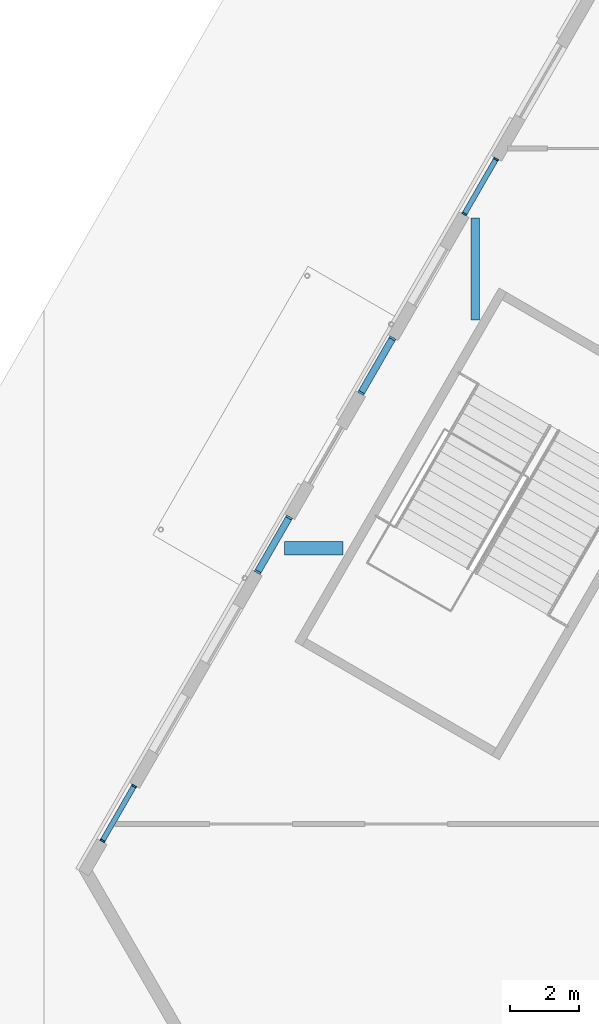
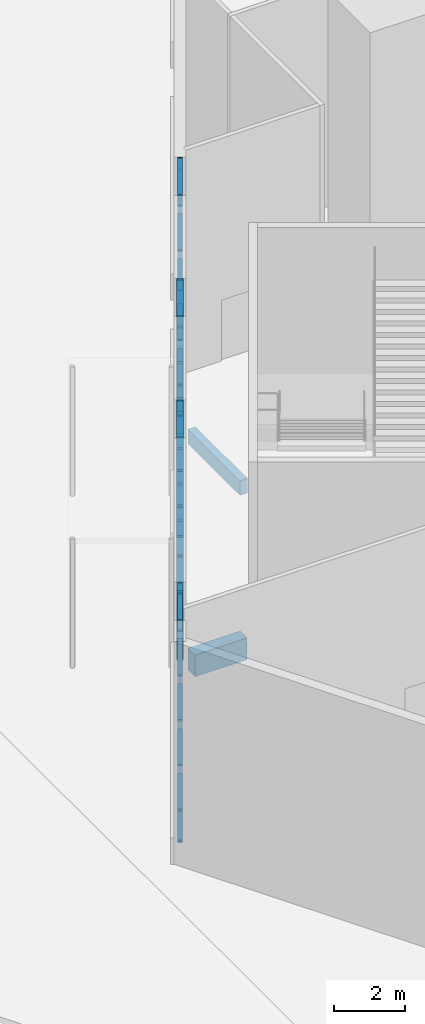
# One storey, part 5 of 24: 38 members, 2 beams, 4 elements without a shape of their own.
"""IFC4 building model written with IfcOpenShell, lengths in metres."""

from ifc_helpers import new_model, si_unit, direction, frame, origin, origin_2d, place, context, subcontext, project, spatial, rectangle, extrude, material, material_profile, profile_set, type_object, element, aggregate, save


model = new_model("IFC4")

# Units and contexts
model_context = context("Model", 3, precision=1e-05, world=origin(), true_north=direction((0.0, 1.0)))
body_context = subcontext(model_context, "Body", "Model", "MODEL_VIEW")
ifc_project = project(units=[si_unit("LENGTHUNIT", "METRE"), si_unit("AREAUNIT", "SQUARE_METRE"), si_unit("VOLUMEUNIT", "CUBIC_METRE"), si_unit("PLANEANGLEUNIT", "RADIAN"), si_unit("MASSUNIT", "GRAM", prefix="KILO")], contexts=[model_context])

# Site, building, storey
site_placement = place(None, origin())
site = spatial("IfcSite", under=ifc_project, at=site_placement, CompositionType="ELEMENT")
building_placement = place(site_placement, origin())
building = spatial("IfcBuilding", under=site, at=building_placement, Name="Fogline Exchange Tower", CompositionType="ELEMENT")
storey_placement = place(building_placement, origin())
storey = spatial("IfcBuildingStorey", under=building, at=storey_placement, Name="L00", CompositionType="ELEMENT", Elevation=0.0)

# Beams
ifc_material_1 = material(Name="Concrete C40", Category="concrete")
ifc_material_profile_1 = material_profile(ifc_material_1, rectangle(XDim=0.39990234375, YDim=0.75, at=origin_2d()), Name="RC 400x750")
ifc_profile_set_1 = profile_set([ifc_material_profile_1], Name="Concrete C40")
beam_type_1 = type_object("IfcBeamType", Name="B05", PredefinedType="BEAM", material=ifc_profile_set_1)
beam_1_placement = place(storey_placement, frame((-37.0302734375, 18.0, -0.77490234375), z_axis=(1.0, 0.0, 0.0), x_axis=(0.0, 1.0, 0.0)))
element("IfcBeam", 1, at=beam_1_placement, inside=storey, type_object=beam_type_1, Name="GB003", PredefinedType="BEAM", context=body_context, shape_type="SweptSolid", body=[
    extrude(rectangle(XDim=0.39990234375, YDim=0.75, at=origin_2d()), origin(), (0.0, 0.0, 1.0), 1.702880859375),
])
ifc_material_profile_2 = material_profile(ifc_material_1, rectangle(XDim=0.25, YDim=0.5, at=origin_2d()), Name="RC 250x500")
ifc_profile_set_2 = profile_set([ifc_material_profile_2], Name="Concrete C40")
beam_type_2 = type_object("IfcBeamType", Name="B08", PredefinedType="BEAM", material=ifc_profile_set_2)
beam_2_placement = place(storey_placement, frame((-31.5, 24.619384765625, -0.64990234375), z_axis=(0.0, 1.0, 0.0), x_axis=(-1.0, 0.0, 0.0)))
element("IfcBeam", 2, at=beam_2_placement, inside=storey, type_object=beam_type_2, Name="SB006", PredefinedType="BEAM", context=body_context, shape_type="SweptSolid", body=[
    extrude(rectangle(XDim=0.25, YDim=0.5, at=origin_2d()), origin(), (0.0, 0.0, 1.0), 2.95947265625),
])

# Curtain wall, members
ifc_material_2 = material(Name="Aluminium and glass", Category="aluminium")
curtain_wall_type_1 = type_object("IfcCurtainWallType", Name="CW1", PredefinedType="NOTDEFINED", material=ifc_material_2)
curtain_wall_1_placement = place(storey_placement, origin())
curtain_wall_1 = element("IfcCurtainWall", 3, at=curtain_wall_1_placement, inside=storey, type_object=curtain_wall_type_1, Name="CW1 L00 W run 2", PredefinedType="NOTDEFINED")
ifc_material_3 = material(Name="Aluminium", Category="aluminium")
ifc_material_profile_3 = material_profile(ifc_material_3, rectangle(XDim=0.199951171875, YDim=0.06005859375, at=origin_2d()), Name="Mullion 60x200")
ifc_profile_set_3 = profile_set([ifc_material_profile_3], Name="Aluminium")
member_type_1 = type_object("IfcMemberType", Name="CW1-M", PredefinedType="MULLION", material=ifc_profile_set_3)
member_1_placement = place(storey_placement, frame((-33.896484375, 24.087890625, 0.0), z_axis=(0.0, 0.0, 1.0), x_axis=(0.866024357877, -0.500001811561, 0.0)))
member_1 = element("IfcMember", 4, at=member_1_placement, type_object=member_type_1, Name="CW1-P00-03 mullion 1", PredefinedType="MULLION", context=body_context, shape_type="SweptSolid", body=[
    extrude(rectangle(XDim=0.199951171875, YDim=0.06005859375, at=origin_2d()), origin(), (0.0, 0.0, 1.0), 7.699951171875),
])
member_2_placement = place(storey_placement, frame((-34.80908203125, 22.50732421875, 0.0), z_axis=(0.0, 0.0, 1.0), x_axis=(0.866024357877, -0.500001811561, 0.0)))
member_2 = element("IfcMember", 5, at=member_2_placement, type_object=member_type_1, Name="CW1-P00-03 mullion 2", PredefinedType="MULLION", context=body_context, shape_type="SweptSolid", body=[
    extrude(rectangle(XDim=0.199951171875, YDim=0.06005859375, at=origin_2d()), origin(), (0.0, 0.0, 1.0), 7.699951171875),
])

curtain_wall_2_placement = place(storey_placement, origin())
curtain_wall_2 = element("IfcCurtainWall", 6, at=curtain_wall_2_placement, inside=storey, type_object=curtain_wall_type_1, Name="CW1 L00 W run 3", PredefinedType="NOTDEFINED")
member_3_placement = place(storey_placement, frame((-36.896484375, 18.891845703125, 0.0), z_axis=(0.0, 0.0, 1.0), x_axis=(0.866025684137, -0.499999514416, 0.0)))
member_3 = element("IfcMember", 7, at=member_3_placement, type_object=member_type_1, Name="CW1-P00-04 mullion 1", PredefinedType="MULLION", context=body_context, shape_type="SweptSolid", body=[
    extrude(rectangle(XDim=0.199951171875, YDim=0.06005859375, at=origin_2d()), origin(), (0.0, 0.0, 1.0), 7.699951171875),
])
member_4_placement = place(storey_placement, frame((-37.80908203125, 17.311279296875, 0.0), z_axis=(0.0, 0.0, 1.0), x_axis=(0.866025684137, -0.499999514416, 0.0)))
member_4 = element("IfcMember", 8, at=member_4_placement, type_object=member_type_1, Name="CW1-P00-04 mullion 2", PredefinedType="MULLION", context=body_context, shape_type="SweptSolid", body=[
    extrude(rectangle(XDim=0.199951171875, YDim=0.06005859375, at=origin_2d()), origin(), (0.0, 0.0, 1.0), 7.699951171875),
])

# Member
ifc_material_profile_4 = material_profile(ifc_material_3, rectangle(XDim=0.199951171875, YDim=0.080078125, at=origin_2d()), Name="Transom 80x200")
ifc_profile_set_4 = profile_set([ifc_material_profile_4], Name="Aluminium")
member_type_2 = type_object("IfcMemberType", Name="CW1-T", PredefinedType="USERDEFINED", material=ifc_profile_set_4)
member_5_placement = place(storey_placement, frame((-33.91162109375, 24.06201171875, 0.0400390625), z_axis=(-0.499918034643, -0.866072721334, 0.0), x_axis=(0.866072721334, -0.499918034643, 0.0)))
member_5 = element("IfcMember", 9, at=member_5_placement, type_object=member_type_2, Name="CW1-P00-03 transom 1.1", ObjectType="TRANSOM", PredefinedType="USERDEFINED", context=body_context, shape_type="SweptSolid", body=[
    extrude(rectangle(XDim=0.199951171875, YDim=0.080078125, at=origin_2d()), origin(), (0.0, 0.0, 1.0), 1.764892578125),
])

member_6_placement = place(storey_placement, frame((-33.91162109375, 24.06201171875, 1.10009765625), z_axis=(-0.499918034643, -0.866072721334, 0.0), x_axis=(0.866072721334, -0.499918034643, 0.0)))
member_6 = element("IfcMember", 10, at=member_6_placement, type_object=member_type_2, Name="CW1-P00-03 transom 1.2", ObjectType="TRANSOM", PredefinedType="USERDEFINED", context=body_context, shape_type="SweptSolid", body=[
    extrude(rectangle(XDim=0.199951171875, YDim=0.080078125, at=origin_2d()), origin(), (0.0, 0.0, 1.0), 1.764892578125),
])

member_7_placement = place(storey_placement, frame((-33.91162109375, 24.06201171875, 2.340087890625), z_axis=(-0.499918034643, -0.866072721334, 0.0), x_axis=(0.866072721334, -0.499918034643, 0.0)))
member_7 = element("IfcMember", 11, at=member_7_placement, type_object=member_type_2, Name="CW1-P00-03 transom 1.3", ObjectType="TRANSOM", PredefinedType="USERDEFINED", context=body_context, shape_type="SweptSolid", body=[
    extrude(rectangle(XDim=0.199951171875, YDim=0.080078125, at=origin_2d()), origin(), (0.0, 0.0, 1.0), 1.764892578125),
])

member_8_placement = place(storey_placement, frame((-33.91162109375, 24.06201171875, 3.580078125), z_axis=(-0.499918034643, -0.866072721334, 0.0), x_axis=(0.866072721334, -0.499918034643, 0.0)))
member_8 = element("IfcMember", 12, at=member_8_placement, type_object=member_type_2, Name="CW1-P00-03 transom 1.4", ObjectType="TRANSOM", PredefinedType="USERDEFINED", context=body_context, shape_type="SweptSolid", body=[
    extrude(rectangle(XDim=0.199951171875, YDim=0.080078125, at=origin_2d()), origin(), (0.0, 0.0, 1.0), 1.764892578125),
])

member_9_placement = place(storey_placement, frame((-33.91162109375, 24.06201171875, 4.820068359375), z_axis=(-0.499918034643, -0.866072721334, 0.0), x_axis=(0.866072721334, -0.499918034643, 0.0)))
member_9 = element("IfcMember", 13, at=member_9_placement, type_object=member_type_2, Name="CW1-P00-03 transom 1.5", ObjectType="TRANSOM", PredefinedType="USERDEFINED", context=body_context, shape_type="SweptSolid", body=[
    extrude(rectangle(XDim=0.199951171875, YDim=0.080078125, at=origin_2d()), origin(), (0.0, 0.0, 1.0), 1.764892578125),
])

member_10_placement = place(storey_placement, frame((-33.91162109375, 24.06201171875, 6.06005859375), z_axis=(-0.499918034643, -0.866072721334, 0.0), x_axis=(0.866072721334, -0.499918034643, 0.0)))
member_10 = element("IfcMember", 14, at=member_10_placement, type_object=member_type_2, Name="CW1-P00-03 transom 1.6", ObjectType="TRANSOM", PredefinedType="USERDEFINED", context=body_context, shape_type="SweptSolid", body=[
    extrude(rectangle(XDim=0.199951171875, YDim=0.080078125, at=origin_2d()), origin(), (0.0, 0.0, 1.0), 1.764892578125),
])

member_11_placement = place(storey_placement, frame((-33.91162109375, 24.06201171875, 7.300048828125), z_axis=(-0.499918034643, -0.866072721334, 0.0), x_axis=(0.866072721334, -0.499918034643, 0.0)))
member_11 = element("IfcMember", 15, at=member_11_placement, type_object=member_type_2, Name="CW1-P00-03 transom 1.7", ObjectType="TRANSOM", PredefinedType="USERDEFINED", context=body_context, shape_type="SweptSolid", body=[
    extrude(rectangle(XDim=0.199951171875, YDim=0.080078125, at=origin_2d()), origin(), (0.0, 0.0, 1.0), 1.764892578125),
])

member_12_placement = place(storey_placement, frame((-33.91162109375, 24.06201171875, 7.659912109375), z_axis=(-0.499918034643, -0.866072721334, 0.0), x_axis=(0.866072721334, -0.499918034643, 0.0)))
member_12 = element("IfcMember", 16, at=member_12_placement, type_object=member_type_2, Name="CW1-P00-03 transom 1.8", ObjectType="TRANSOM", PredefinedType="USERDEFINED", context=body_context, shape_type="SweptSolid", body=[
    extrude(rectangle(XDim=0.199951171875, YDim=0.080078125, at=origin_2d()), origin(), (0.0, 0.0, 1.0), 1.764892578125),
])

aggregate(curtain_wall_1, [member_1, member_2, member_5, member_6, member_7, member_8, member_9, member_10, member_11, member_12])

member_13_placement = place(storey_placement, frame((-36.91162109375, 18.86572265625, 0.0400390625), z_axis=(-0.499918034643, -0.866072721334, 0.0), x_axis=(0.866072721334, -0.499918034643, 0.0)))
member_13 = element("IfcMember", 17, at=member_13_placement, type_object=member_type_2, Name="CW1-P00-04 transom 1.1", ObjectType="TRANSOM", PredefinedType="USERDEFINED", context=body_context, shape_type="SweptSolid", body=[
    extrude(rectangle(XDim=0.199951171875, YDim=0.080078125, at=origin_2d()), origin(), (0.0, 0.0, 1.0), 1.764892578125),
])

member_14_placement = place(storey_placement, frame((-36.91162109375, 18.86572265625, 1.10009765625), z_axis=(-0.499918034643, -0.866072721334, 0.0), x_axis=(0.866072721334, -0.499918034643, 0.0)))
member_14 = element("IfcMember", 18, at=member_14_placement, type_object=member_type_2, Name="CW1-P00-04 transom 1.2", ObjectType="TRANSOM", PredefinedType="USERDEFINED", context=body_context, shape_type="SweptSolid", body=[
    extrude(rectangle(XDim=0.199951171875, YDim=0.080078125, at=origin_2d()), origin(), (0.0, 0.0, 1.0), 1.764892578125),
])

member_15_placement = place(storey_placement, frame((-36.91162109375, 18.86572265625, 2.340087890625), z_axis=(-0.499918034643, -0.866072721334, 0.0), x_axis=(0.866072721334, -0.499918034643, 0.0)))
member_15 = element("IfcMember", 19, at=member_15_placement, type_object=member_type_2, Name="CW1-P00-04 transom 1.3", ObjectType="TRANSOM", PredefinedType="USERDEFINED", context=body_context, shape_type="SweptSolid", body=[
    extrude(rectangle(XDim=0.199951171875, YDim=0.080078125, at=origin_2d()), origin(), (0.0, 0.0, 1.0), 1.764892578125),
])

member_16_placement = place(storey_placement, frame((-36.91162109375, 18.86572265625, 3.580078125), z_axis=(-0.499918034643, -0.866072721334, 0.0), x_axis=(0.866072721334, -0.499918034643, 0.0)))
member_16 = element("IfcMember", 20, at=member_16_placement, type_object=member_type_2, Name="CW1-P00-04 transom 1.4", ObjectType="TRANSOM", PredefinedType="USERDEFINED", context=body_context, shape_type="SweptSolid", body=[
    extrude(rectangle(XDim=0.199951171875, YDim=0.080078125, at=origin_2d()), origin(), (0.0, 0.0, 1.0), 1.764892578125),
])

member_17_placement = place(storey_placement, frame((-36.91162109375, 18.86572265625, 4.820068359375), z_axis=(-0.499918034643, -0.866072721334, 0.0), x_axis=(0.866072721334, -0.499918034643, 0.0)))
member_17 = element("IfcMember", 21, at=member_17_placement, type_object=member_type_2, Name="CW1-P00-04 transom 1.5", ObjectType="TRANSOM", PredefinedType="USERDEFINED", context=body_context, shape_type="SweptSolid", body=[
    extrude(rectangle(XDim=0.199951171875, YDim=0.080078125, at=origin_2d()), origin(), (0.0, 0.0, 1.0), 1.764892578125),
])

member_18_placement = place(storey_placement, frame((-36.91162109375, 18.86572265625, 6.06005859375), z_axis=(-0.499918034643, -0.866072721334, 0.0), x_axis=(0.866072721334, -0.499918034643, 0.0)))
member_18 = element("IfcMember", 22, at=member_18_placement, type_object=member_type_2, Name="CW1-P00-04 transom 1.6", ObjectType="TRANSOM", PredefinedType="USERDEFINED", context=body_context, shape_type="SweptSolid", body=[
    extrude(rectangle(XDim=0.199951171875, YDim=0.080078125, at=origin_2d()), origin(), (0.0, 0.0, 1.0), 1.764892578125),
])

member_19_placement = place(storey_placement, frame((-36.91162109375, 18.86572265625, 7.300048828125), z_axis=(-0.499918034643, -0.866072721334, 0.0), x_axis=(0.866072721334, -0.499918034643, 0.0)))
member_19 = element("IfcMember", 23, at=member_19_placement, type_object=member_type_2, Name="CW1-P00-04 transom 1.7", ObjectType="TRANSOM", PredefinedType="USERDEFINED", context=body_context, shape_type="SweptSolid", body=[
    extrude(rectangle(XDim=0.199951171875, YDim=0.080078125, at=origin_2d()), origin(), (0.0, 0.0, 1.0), 1.764892578125),
])

member_20_placement = place(storey_placement, frame((-36.91162109375, 18.86572265625, 7.659912109375), z_axis=(-0.499918034643, -0.866072721334, 0.0), x_axis=(0.866072721334, -0.499918034643, 0.0)))
member_20 = element("IfcMember", 24, at=member_20_placement, type_object=member_type_2, Name="CW1-P00-04 transom 1.8", ObjectType="TRANSOM", PredefinedType="USERDEFINED", context=body_context, shape_type="SweptSolid", body=[
    extrude(rectangle(XDim=0.199951171875, YDim=0.080078125, at=origin_2d()), origin(), (0.0, 0.0, 1.0), 1.764892578125),
])

aggregate(curtain_wall_2, [member_3, member_4, member_13, member_14, member_15, member_16, member_17, member_18, member_19, member_20])

# Curtain wall, members
curtain_wall_type_2 = type_object("IfcCurtainWallType", Name="CW3", PredefinedType="NOTDEFINED", material=ifc_material_2)
curtain_wall_3_placement = place(storey_placement, origin())
curtain_wall_3 = element("IfcCurtainWall", 25, at=curtain_wall_3_placement, inside=storey, type_object=curtain_wall_type_2, Name="CW3 L00 W run 1", PredefinedType="NOTDEFINED")
ifc_material_profile_5 = material_profile(ifc_material_3, rectangle(XDim=0.14990234375, YDim=0.050048828125, at=origin_2d()), Name="Mullion 50x150")
ifc_profile_set_5 = profile_set([ifc_material_profile_5], Name="Aluminium")
member_type_3 = type_object("IfcMemberType", Name="CW3-M", PredefinedType="MULLION", material=ifc_profile_set_5)
member_21_placement = place(storey_placement, frame((-30.89404296875, 29.288330078125, 0.0), z_axis=(0.0, 0.0, 1.0), x_axis=(0.866025684137, -0.499999514416, 0.0)))
member_21 = element("IfcMember", 26, at=member_21_placement, type_object=member_type_3, Name="CW3-P00-03 mullion 1", PredefinedType="MULLION", context=body_context, shape_type="SweptSolid", body=[
    extrude(rectangle(XDim=0.14990234375, YDim=0.050048828125, at=origin_2d()), origin(), (0.0, 0.0, 1.0), 7.699951171875),
])
member_22_placement = place(storey_placement, frame((-31.8115234375, 27.69921875, 0.0), z_axis=(0.0, 0.0, 1.0), x_axis=(0.866025684137, -0.499999514416, 0.0)))
member_22 = element("IfcMember", 27, at=member_22_placement, type_object=member_type_3, Name="CW3-P00-03 mullion 2", PredefinedType="MULLION", context=body_context, shape_type="SweptSolid", body=[
    extrude(rectangle(XDim=0.14990234375, YDim=0.050048828125, at=origin_2d()), origin(), (0.0, 0.0, 1.0), 7.699951171875),
])

curtain_wall_4_placement = place(storey_placement, origin())
curtain_wall_4 = element("IfcCurtainWall", 28, at=curtain_wall_4_placement, inside=storey, type_object=curtain_wall_type_2, Name="CW3 L00 W run 4", PredefinedType="NOTDEFINED")
member_23_placement = place(storey_placement, frame((-41.39404296875, 11.101806640625, 0.0), z_axis=(0.0, 0.0, 1.0), x_axis=(0.866024357877, -0.500001811561, 0.0)))
member_23 = element("IfcMember", 29, at=member_23_placement, type_object=member_type_3, Name="CW3-P00-04 mullion 1", PredefinedType="MULLION", context=body_context, shape_type="SweptSolid", body=[
    extrude(rectangle(XDim=0.14990234375, YDim=0.050048828125, at=origin_2d()), origin(), (0.0, 0.0, 1.0), 7.699951171875),
])
member_24_placement = place(storey_placement, frame((-42.3115234375, 9.5126953125, 0.0), z_axis=(0.0, 0.0, 1.0), x_axis=(0.866024357877, -0.500001811561, 0.0)))
member_24 = element("IfcMember", 30, at=member_24_placement, type_object=member_type_3, Name="CW3-P00-04 mullion 2", PredefinedType="MULLION", context=body_context, shape_type="SweptSolid", body=[
    extrude(rectangle(XDim=0.14990234375, YDim=0.050048828125, at=origin_2d()), origin(), (0.0, 0.0, 1.0), 7.699951171875),
])

# Member
ifc_material_profile_6 = material_profile(ifc_material_3, rectangle(XDim=0.14990234375, YDim=0.06005859375, at=origin_2d()), Name="Transom 60x150")
ifc_profile_set_6 = profile_set([ifc_material_profile_6], Name="Aluminium")
member_type_4 = type_object("IfcMemberType", Name="CW3-T", PredefinedType="USERDEFINED", material=ifc_profile_set_6)
member_25_placement = place(storey_placement, frame((-30.906494140625, 29.266845703125, 0.030029296875), z_axis=(-0.500022371132, -0.86601248742, 0.0), x_axis=(0.86601248742, -0.500022371132, 0.0)))
member_25 = element("IfcMember", 31, at=member_25_placement, type_object=member_type_4, Name="CW3-P00-03 transom 1.1", ObjectType="TRANSOM", PredefinedType="USERDEFINED", context=body_context, shape_type="SweptSolid", body=[
    extrude(rectangle(XDim=0.14990234375, YDim=0.06005859375, at=origin_2d()), origin(), (0.0, 0.0, 1.0), 1.78515625),
])

member_26_placement = place(storey_placement, frame((-30.906494140625, 29.266845703125, 1.10009765625), z_axis=(-0.500022371132, -0.86601248742, 0.0), x_axis=(0.86601248742, -0.500022371132, 0.0)))
member_26 = element("IfcMember", 32, at=member_26_placement, type_object=member_type_4, Name="CW3-P00-03 transom 1.2", ObjectType="TRANSOM", PredefinedType="USERDEFINED", context=body_context, shape_type="SweptSolid", body=[
    extrude(rectangle(XDim=0.14990234375, YDim=0.06005859375, at=origin_2d()), origin(), (0.0, 0.0, 1.0), 1.78515625),
])

member_27_placement = place(storey_placement, frame((-30.906494140625, 29.266845703125, 2.64990234375), z_axis=(-0.500022371132, -0.86601248742, 0.0), x_axis=(0.86601248742, -0.500022371132, 0.0)))
member_27 = element("IfcMember", 33, at=member_27_placement, type_object=member_type_4, Name="CW3-P00-03 transom 1.3", ObjectType="TRANSOM", PredefinedType="USERDEFINED", context=body_context, shape_type="SweptSolid", body=[
    extrude(rectangle(XDim=0.14990234375, YDim=0.06005859375, at=origin_2d()), origin(), (0.0, 0.0, 1.0), 1.78515625),
])

member_28_placement = place(storey_placement, frame((-30.906494140625, 29.266845703125, 4.199951171875), z_axis=(-0.500022371132, -0.86601248742, 0.0), x_axis=(0.86601248742, -0.500022371132, 0.0)))
member_28 = element("IfcMember", 34, at=member_28_placement, type_object=member_type_4, Name="CW3-P00-03 transom 1.4", ObjectType="TRANSOM", PredefinedType="USERDEFINED", context=body_context, shape_type="SweptSolid", body=[
    extrude(rectangle(XDim=0.14990234375, YDim=0.06005859375, at=origin_2d()), origin(), (0.0, 0.0, 1.0), 1.78515625),
])

member_29_placement = place(storey_placement, frame((-30.906494140625, 29.266845703125, 5.75), z_axis=(-0.500022371132, -0.86601248742, 0.0), x_axis=(0.86601248742, -0.500022371132, 0.0)))
member_29 = element("IfcMember", 35, at=member_29_placement, type_object=member_type_4, Name="CW3-P00-03 transom 1.5", ObjectType="TRANSOM", PredefinedType="USERDEFINED", context=body_context, shape_type="SweptSolid", body=[
    extrude(rectangle(XDim=0.14990234375, YDim=0.06005859375, at=origin_2d()), origin(), (0.0, 0.0, 1.0), 1.78515625),
])

member_30_placement = place(storey_placement, frame((-30.906494140625, 29.266845703125, 7.300048828125), z_axis=(-0.500022371132, -0.86601248742, 0.0), x_axis=(0.86601248742, -0.500022371132, 0.0)))
member_30 = element("IfcMember", 36, at=member_30_placement, type_object=member_type_4, Name="CW3-P00-03 transom 1.6", ObjectType="TRANSOM", PredefinedType="USERDEFINED", context=body_context, shape_type="SweptSolid", body=[
    extrude(rectangle(XDim=0.14990234375, YDim=0.06005859375, at=origin_2d()), origin(), (0.0, 0.0, 1.0), 1.78515625),
])

member_31_placement = place(storey_placement, frame((-30.906494140625, 29.266845703125, 7.669921875), z_axis=(-0.500022371132, -0.86601248742, 0.0), x_axis=(0.86601248742, -0.500022371132, 0.0)))
member_31 = element("IfcMember", 37, at=member_31_placement, type_object=member_type_4, Name="CW3-P00-03 transom 1.7", ObjectType="TRANSOM", PredefinedType="USERDEFINED", context=body_context, shape_type="SweptSolid", body=[
    extrude(rectangle(XDim=0.14990234375, YDim=0.06005859375, at=origin_2d()), origin(), (0.0, 0.0, 1.0), 1.78515625),
])

aggregate(curtain_wall_3, [member_21, member_22, member_25, member_26, member_27, member_28, member_29, member_30, member_31])

member_32_placement = place(storey_placement, frame((-41.406494140625, 11.080322265625, 0.030029296875), z_axis=(-0.500022371132, -0.86601248742, 0.0), x_axis=(0.86601248742, -0.500022371132, 0.0)))
member_32 = element("IfcMember", 38, at=member_32_placement, type_object=member_type_4, Name="CW3-P00-04 transom 1.1", ObjectType="TRANSOM", PredefinedType="USERDEFINED", context=body_context, shape_type="SweptSolid", body=[
    extrude(rectangle(XDim=0.14990234375, YDim=0.06005859375, at=origin_2d()), origin(), (0.0, 0.0, 1.0), 1.78515625),
])

member_33_placement = place(storey_placement, frame((-41.406494140625, 11.080322265625, 1.10009765625), z_axis=(-0.500022371132, -0.86601248742, 0.0), x_axis=(0.86601248742, -0.500022371132, 0.0)))
member_33 = element("IfcMember", 39, at=member_33_placement, type_object=member_type_4, Name="CW3-P00-04 transom 1.2", ObjectType="TRANSOM", PredefinedType="USERDEFINED", context=body_context, shape_type="SweptSolid", body=[
    extrude(rectangle(XDim=0.14990234375, YDim=0.06005859375, at=origin_2d()), origin(), (0.0, 0.0, 1.0), 1.78515625),
])

member_34_placement = place(storey_placement, frame((-41.406494140625, 11.080322265625, 2.64990234375), z_axis=(-0.500022371132, -0.86601248742, 0.0), x_axis=(0.86601248742, -0.500022371132, 0.0)))
member_34 = element("IfcMember", 40, at=member_34_placement, type_object=member_type_4, Name="CW3-P00-04 transom 1.3", ObjectType="TRANSOM", PredefinedType="USERDEFINED", context=body_context, shape_type="SweptSolid", body=[
    extrude(rectangle(XDim=0.14990234375, YDim=0.06005859375, at=origin_2d()), origin(), (0.0, 0.0, 1.0), 1.78515625),
])

member_35_placement = place(storey_placement, frame((-41.406494140625, 11.080322265625, 4.199951171875), z_axis=(-0.500022371132, -0.86601248742, 0.0), x_axis=(0.86601248742, -0.500022371132, 0.0)))
member_35 = element("IfcMember", 41, at=member_35_placement, type_object=member_type_4, Name="CW3-P00-04 transom 1.4", ObjectType="TRANSOM", PredefinedType="USERDEFINED", context=body_context, shape_type="SweptSolid", body=[
    extrude(rectangle(XDim=0.14990234375, YDim=0.06005859375, at=origin_2d()), origin(), (0.0, 0.0, 1.0), 1.78515625),
])

member_36_placement = place(storey_placement, frame((-41.406494140625, 11.080322265625, 5.75), z_axis=(-0.500022371132, -0.86601248742, 0.0), x_axis=(0.86601248742, -0.500022371132, 0.0)))
member_36 = element("IfcMember", 42, at=member_36_placement, type_object=member_type_4, Name="CW3-P00-04 transom 1.5", ObjectType="TRANSOM", PredefinedType="USERDEFINED", context=body_context, shape_type="SweptSolid", body=[
    extrude(rectangle(XDim=0.14990234375, YDim=0.06005859375, at=origin_2d()), origin(), (0.0, 0.0, 1.0), 1.78515625),
])

member_37_placement = place(storey_placement, frame((-41.406494140625, 11.080322265625, 7.300048828125), z_axis=(-0.500022371132, -0.86601248742, 0.0), x_axis=(0.86601248742, -0.500022371132, 0.0)))
member_37 = element("IfcMember", 43, at=member_37_placement, type_object=member_type_4, Name="CW3-P00-04 transom 1.6", ObjectType="TRANSOM", PredefinedType="USERDEFINED", context=body_context, shape_type="SweptSolid", body=[
    extrude(rectangle(XDim=0.14990234375, YDim=0.06005859375, at=origin_2d()), origin(), (0.0, 0.0, 1.0), 1.78515625),
])

member_38_placement = place(storey_placement, frame((-41.406494140625, 11.080322265625, 7.669921875), z_axis=(-0.500022371132, -0.86601248742, 0.0), x_axis=(0.86601248742, -0.500022371132, 0.0)))
member_38 = element("IfcMember", 44, at=member_38_placement, type_object=member_type_4, Name="CW3-P00-04 transom 1.7", ObjectType="TRANSOM", PredefinedType="USERDEFINED", context=body_context, shape_type="SweptSolid", body=[
    extrude(rectangle(XDim=0.14990234375, YDim=0.06005859375, at=origin_2d()), origin(), (0.0, 0.0, 1.0), 1.78515625),
])

aggregate(curtain_wall_4, [member_23, member_24, member_32, member_33, member_34, member_35, member_36, member_37, member_38])

save(model, "model.ifc")
